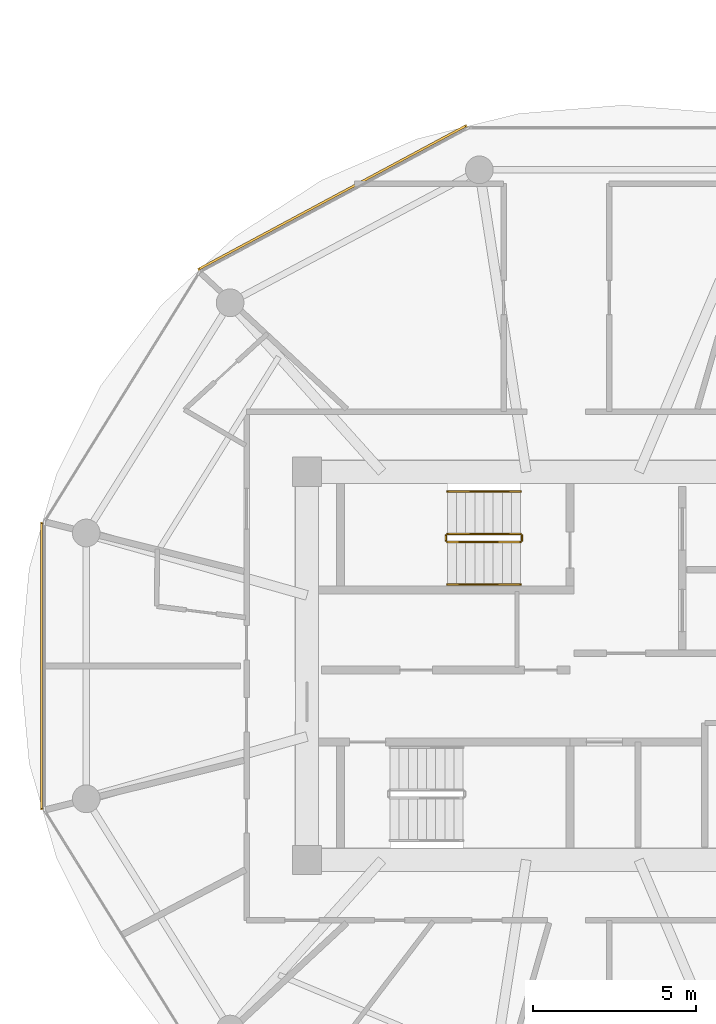
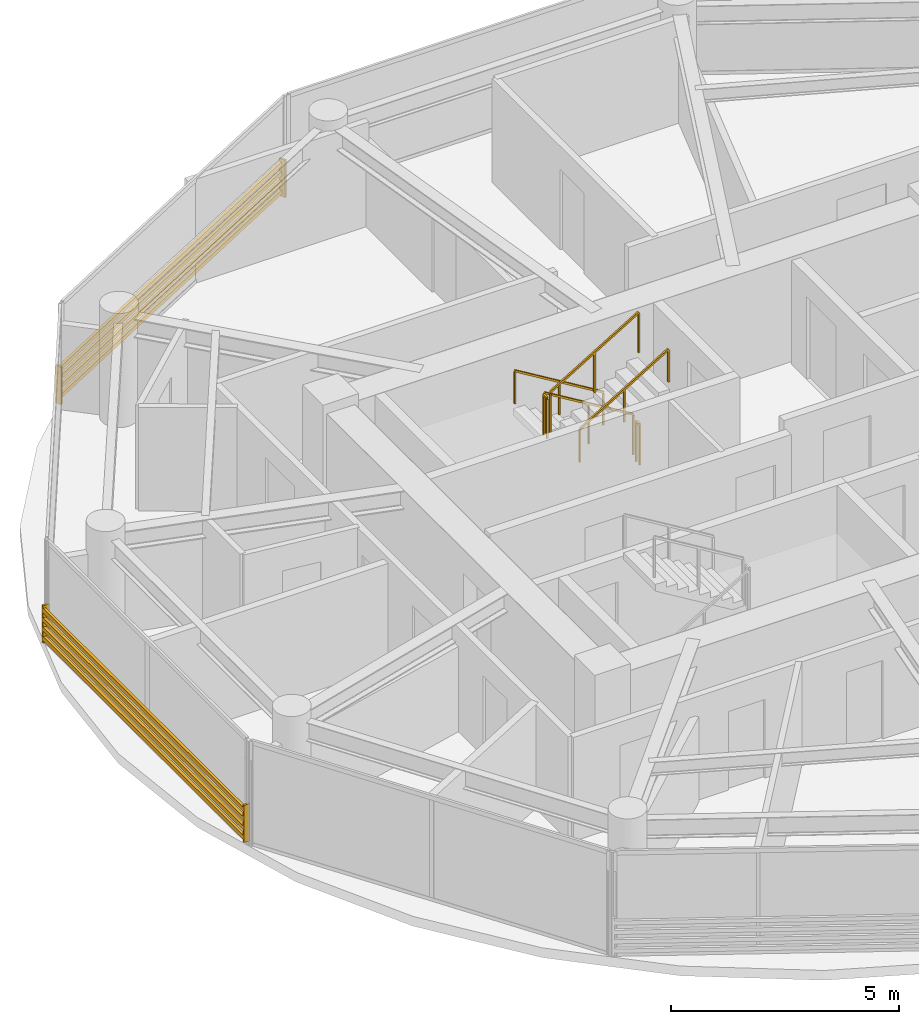
# One storey, part 20 of 22: 6 railings, 2 shading devices.
"""IFC4 building model written with IfcOpenShell, lengths in metres."""

from ifc_helpers import new_model, si_unit, direction, frame, origin, origin_2d, place, context, subcontext, project, spatial, rectangle, extrude, source, transform, mapped, material, type_object, type_shapes, element, save


model = new_model("IFC4")

# Units and contexts
model_context = context("Model", 3, precision=1e-05, world=origin(), true_north=direction((0.0, 1.0)))
body_context = subcontext(model_context, "Body", "Model", "MODEL_VIEW")
ifc_project = project(units=[si_unit("LENGTHUNIT", "METRE"), si_unit("AREAUNIT", "SQUARE_METRE"), si_unit("VOLUMEUNIT", "CUBIC_METRE"), si_unit("PLANEANGLEUNIT", "RADIAN"), si_unit("MASSUNIT", "GRAM", prefix="KILO")], contexts=[model_context])

# Site, building, storey
site_placement = place(None, origin())
site = spatial("IfcSite", under=ifc_project, at=site_placement, CompositionType="ELEMENT")
building_placement = place(site_placement, origin())
building = spatial("IfcBuilding", under=site, at=building_placement, Name="Norrkilde Senior Care Towers", CompositionType="ELEMENT")
storey_placement = place(building_placement, frame((0.0, 0.0, 120.64990234375)))
storey = spatial("IfcBuildingStorey", under=building, at=storey_placement, Name="L37", CompositionType="ELEMENT", Elevation=120.64990234375)

# Railings
ifc_material_1 = material(Name="Stainless Steel", Category="steel")
railing_type_1 = type_object("IfcRailingType", Name="Stair and Terrace Guardrail 1100", PredefinedType="GUARDRAIL", material=ifc_material_1)
railing_1_placement = place(storey_placement, frame((-29.10009765625, 4.050048828125, 0.16943359375)))
element("IfcRailing", 1, at=railing_1_placement, inside=storey, type_object=railing_type_1, Name="L37 ST-W1 stair guard 1", PredefinedType="GUARDRAIL", context=body_context, shape_type="SweptSolid", body=[
    extrude(rectangle(XDim=0.048095703125, YDim=0.048095703125, at=origin_2d()), frame((0.0, 0.0, 1.076171875), z_axis=(-0.855512035549, 0.0, 0.517782924622), x_axis=(0.0, -1.0, 0.0)), (0.0, 0.0, 1.0), 2.618408203125),
    extrude(rectangle(XDim=0.0419921875, YDim=0.0419921875, at=origin_2d()), origin(), (0.0, 0.0, 1.0), 1.050048828125),
    extrude(rectangle(XDim=0.0419921875, YDim=0.0419921875, at=origin_2d()), frame((-1.1201171875, 0.0, 0.677734375)), (0.0, 0.0, 1.0), 1.050048828125),
    extrude(rectangle(XDim=0.0419921875, YDim=0.0419921875, at=origin_2d()), frame((-2.239990234375, 0.0, 1.355712890625)), (0.0, 0.0, 1.0), 1.050048828125),
])
railing_2_placement = place(storey_placement, frame((-31.389892578125, 4.0, 1.525146484375)))
element("IfcRailing", 2, at=railing_2_placement, inside=storey, type_object=railing_type_1, Name="L37 ST-W1 stair guard 2", PredefinedType="GUARDRAIL", context=body_context, shape_type="SweptSolid", body=[
    extrude(rectangle(XDim=0.048095703125, YDim=0.048095703125, at=origin_2d()), frame((0.0, 0.0, 1.076171875), z_axis=(0.0, -1.0, 0.0), x_axis=(1.0, 0.0, 0.0)), (0.0, 0.0, 1.0), 0.14990234375),
    extrude(rectangle(XDim=0.0419921875, YDim=0.0419921875, at=origin_2d()), origin(), (0.0, 0.0, 1.0), 1.050048828125),
    extrude(rectangle(XDim=0.0419921875, YDim=0.0419921875, at=origin_2d()), frame((0.0, -0.14990234375, 0.0)), (0.0, 0.0, 1.0), 1.050048828125),
])
railing_3_placement = place(storey_placement, frame((-31.340087890625, 3.800048828125, 1.694580078125)))
element("IfcRailing", 3, at=railing_3_placement, inside=storey, type_object=railing_type_1, Name="L37 ST-W1 stair guard 3", PredefinedType="GUARDRAIL", context=body_context, shape_type="SweptSolid", body=[
    extrude(rectangle(XDim=0.048095703125, YDim=0.048095703125, at=origin_2d()), frame((0.0, 0.0, 1.076171875), z_axis=(0.855553338991, 0.0, 0.51771467445), x_axis=(0.0, 1.0, 0.0)), (0.0, 0.0, 1.0), 2.6181640625),
    extrude(rectangle(XDim=0.0419921875, YDim=0.0419921875, at=origin_2d()), origin(), (0.0, 0.0, 1.0), 1.050048828125),
    extrude(rectangle(XDim=0.0419921875, YDim=0.0419921875, at=origin_2d()), frame((1.1201171875, 0.0, 0.677734375)), (0.0, 0.0, 1.0), 1.050048828125),
    extrude(rectangle(XDim=0.0419921875, YDim=0.0419921875, at=origin_2d()), frame((2.239990234375, 0.0, 1.35546875)), (0.0, 0.0, 1.0), 1.050048828125),
])
railing_4_placement = place(storey_placement, frame((-29.050048828125, 4.0, 0.0)))
element("IfcRailing", 4, at=railing_4_placement, inside=storey, type_object=railing_type_1, Name="L37 ST-W1 stair guard 4", PredefinedType="GUARDRAIL", context=body_context, shape_type="SweptSolid", body=[
    extrude(rectangle(XDim=0.048095703125, YDim=0.048095703125, at=origin_2d()), frame((0.0, 0.0, 1.076171875), z_axis=(0.0, -1.0, 0.0), x_axis=(1.0, 0.0, 0.0)), (0.0, 0.0, 1.0), 0.14990234375),
    extrude(rectangle(XDim=0.0419921875, YDim=0.0419921875, at=origin_2d()), origin(), (0.0, 0.0, 1.0), 1.050048828125),
    extrude(rectangle(XDim=0.0419921875, YDim=0.0419921875, at=origin_2d()), frame((0.0, -0.14990234375, 0.0)), (0.0, 0.0, 1.0), 1.050048828125),
])
ifc_material_2 = material(Name="Nordic Ash Timber", Category="wood")
railing_type_2 = type_object("IfcRailingType", Name="Wall and Stair Handrail 900", PredefinedType="HANDRAIL", material=ifc_material_2)
railing_5_placement = place(storey_placement, frame((-29.10009765625, 5.35009765625, 0.16943359375)))
element("IfcRailing", 5, at=railing_5_placement, inside=storey, type_object=railing_type_2, Name="L37 ST-W1 stair handrail 1", PredefinedType="HANDRAIL", context=body_context, shape_type="SweptSolid", body=[
    extrude(rectangle(XDim=0.048095703125, YDim=0.048095703125, at=origin_2d()), frame((0.0, 0.0, 0.8759765625), z_axis=(-0.855512035549, 0.0, 0.517782924622), x_axis=(0.0, -1.0, 0.0)), (0.0, 0.0, 1.0), 2.618408203125),
    extrude(rectangle(XDim=0.0419921875, YDim=0.0419921875, at=origin_2d()), origin(), (0.0, 0.0, 1.0), 0.849853515625),
    extrude(rectangle(XDim=0.0419921875, YDim=0.0419921875, at=origin_2d()), frame((-1.1201171875, 0.0, 0.677734375)), (0.0, 0.0, 1.0), 0.849853515625),
    extrude(rectangle(XDim=0.0419921875, YDim=0.0419921875, at=origin_2d()), frame((-2.239990234375, 0.0, 1.355712890625)), (0.0, 0.0, 1.0), 0.849853515625),
])
railing_6_placement = place(storey_placement, frame((-31.340087890625, 2.5, 1.694580078125)))
element("IfcRailing", 6, at=railing_6_placement, inside=storey, type_object=railing_type_2, Name="L37 ST-W1 stair handrail 2", PredefinedType="HANDRAIL", context=body_context, shape_type="SweptSolid", body=[
    extrude(rectangle(XDim=0.048095703125, YDim=0.048095703125, at=origin_2d()), frame((0.0, 0.0, 0.8759765625), z_axis=(0.855553338991, 0.0, 0.51771467445), x_axis=(0.0, 1.0, 0.0)), (0.0, 0.0, 1.0), 2.6181640625),
    extrude(rectangle(XDim=0.0419921875, YDim=0.0419921875, at=origin_2d()), origin(), (0.0, 0.0, 1.0), 0.849853515625),
    extrude(rectangle(XDim=0.0419921875, YDim=0.0419921875, at=origin_2d()), frame((1.1201171875, 0.0, 0.677734375)), (0.0, 0.0, 1.0), 0.849853515625),
    extrude(rectangle(XDim=0.0419921875, YDim=0.0419921875, at=origin_2d()), frame((2.239990234375, 0.0, 1.35546875)), (0.0, 0.0, 1.0), 0.849853515625),
])

# Shading devices
ifc_material_3 = material(Name="Architectural Terracotta", Category="masonry")
shading_device_type = type_object("IfcShadingDeviceType", Name="Horizontal Terracotta Baguette Rack", PredefinedType="USERDEFINED", material=ifc_material_3)
shared_shape_1 = source(origin(), body_context, "Body", "SweptSolid", [
    extrude(rectangle(XDim=0.070068359375, YDim=0.110107421875, at=origin_2d()), frame((0.0, 0.090087890625, 0.125), z_axis=(1.0, 0.0, 0.0), x_axis=(0.0, 1.0, 0.0)), (0.0, 0.0, 1.0), 9.3505859375),
    extrude(rectangle(XDim=0.070068359375, YDim=0.110107421875, at=origin_2d()), frame((0.0, 0.090087890625, 0.375), z_axis=(1.0, 0.0, 0.0), x_axis=(0.0, 1.0, 0.0)), (0.0, 0.0, 1.0), 9.3505859375),
    extrude(rectangle(XDim=0.070068359375, YDim=0.110107421875, at=origin_2d()), frame((0.0, 0.090087890625, 0.625), z_axis=(1.0, 0.0, 0.0), x_axis=(0.0, 1.0, 0.0)), (0.0, 0.0, 1.0), 9.3505859375),
    extrude(rectangle(XDim=0.070068359375, YDim=0.110107421875, at=origin_2d()), frame((0.0, 0.090087890625, 0.875), z_axis=(1.0, 0.0, 0.0), x_axis=(0.0, 1.0, 0.0)), (0.0, 0.0, 1.0), 9.3505859375),
    extrude(rectangle(XDim=0.050048828125, YDim=0.1552734375, at=origin_2d()), frame((0.02490234375, 0.047607421875, 0.0)), (0.0, 0.0, 1.0), 1.0),
    extrude(rectangle(XDim=0.050048828125, YDim=0.1552734375, at=origin_2d()), frame((9.32568359375, 0.047607421875, 0.0)), (0.0, 0.0, 1.0), 1.0),
])
shading_device_1_placement = place(storey_placement, frame((-38.946533203125, 12.077392578125, 0.080078125), z_axis=(0.0, 0.0, 1.0), x_axis=(0.881174934726, 0.472767624021, 0.0)))
element("IfcShadingDevice", 7, at=shading_device_1_placement, inside=storey, type_object=shading_device_type, Name="L37 Drum W Terracotta Baguette Screen 03", ObjectType="BAGUETTE", PredefinedType="USERDEFINED", context=body_context, shape_type="MappedRepresentation", body=[
    mapped(shared_shape_1, transform((0.0, 0.0, 0.0), x_axis=(1.0, 0.0, 0.0), y_axis=(0.0, 1.0, 0.0), z_axis=(0.0, 0.0, 1.0), scale=1.0)),
])
shared_shape_2 = source(origin(), body_context, "Body", "SweptSolid", [
    extrude(rectangle(XDim=0.070068359375, YDim=0.110107421875, at=origin_2d()), frame((0.0, 0.090087890625, 0.125), z_axis=(1.0, 0.0, 0.0), x_axis=(0.0, 1.0, 0.0)), (0.0, 0.0, 1.0), 8.84130859375),
    extrude(rectangle(XDim=0.070068359375, YDim=0.110107421875, at=origin_2d()), frame((0.0, 0.090087890625, 0.375), z_axis=(1.0, 0.0, 0.0), x_axis=(0.0, 1.0, 0.0)), (0.0, 0.0, 1.0), 8.84130859375),
    extrude(rectangle(XDim=0.070068359375, YDim=0.110107421875, at=origin_2d()), frame((0.0, 0.090087890625, 0.625), z_axis=(1.0, 0.0, 0.0), x_axis=(0.0, 1.0, 0.0)), (0.0, 0.0, 1.0), 8.84130859375),
    extrude(rectangle(XDim=0.070068359375, YDim=0.110107421875, at=origin_2d()), frame((0.0, 0.090087890625, 0.875), z_axis=(1.0, 0.0, 0.0), x_axis=(0.0, 1.0, 0.0)), (0.0, 0.0, 1.0), 8.84130859375),
    extrude(rectangle(XDim=0.050048828125, YDim=0.1552734375, at=origin_2d()), frame((0.02490234375, 0.047607421875, 0.0)), (0.0, 0.0, 1.0), 1.0),
    extrude(rectangle(XDim=0.050048828125, YDim=0.1552734375, at=origin_2d()), frame((8.81640625, 0.047607421875, 0.0)), (0.0, 0.0, 1.0), 1.0),
])
type_shapes(shading_device_type, [shared_shape_1, shared_shape_2])
shading_device_2_placement = place(storey_placement, frame((-43.70361328125, -4.420654296875, 0.080078125), z_axis=(0.0, 0.0, 1.0), x_axis=(0.0, 1.0, 0.0)))
element("IfcShadingDevice", 8, at=shading_device_2_placement, inside=storey, type_object=shading_device_type, Name="L37 Drum W Terracotta Baguette Screen 05", ObjectType="BAGUETTE", PredefinedType="USERDEFINED", context=body_context, shape_type="MappedRepresentation", body=[
    mapped(shared_shape_2, transform((0.0, 0.0, 0.0), x_axis=(1.0, 0.0, 0.0), y_axis=(0.0, 1.0, 0.0), z_axis=(0.0, 0.0, 1.0), scale=1.0)),
])

save(model, "model.ifc")
